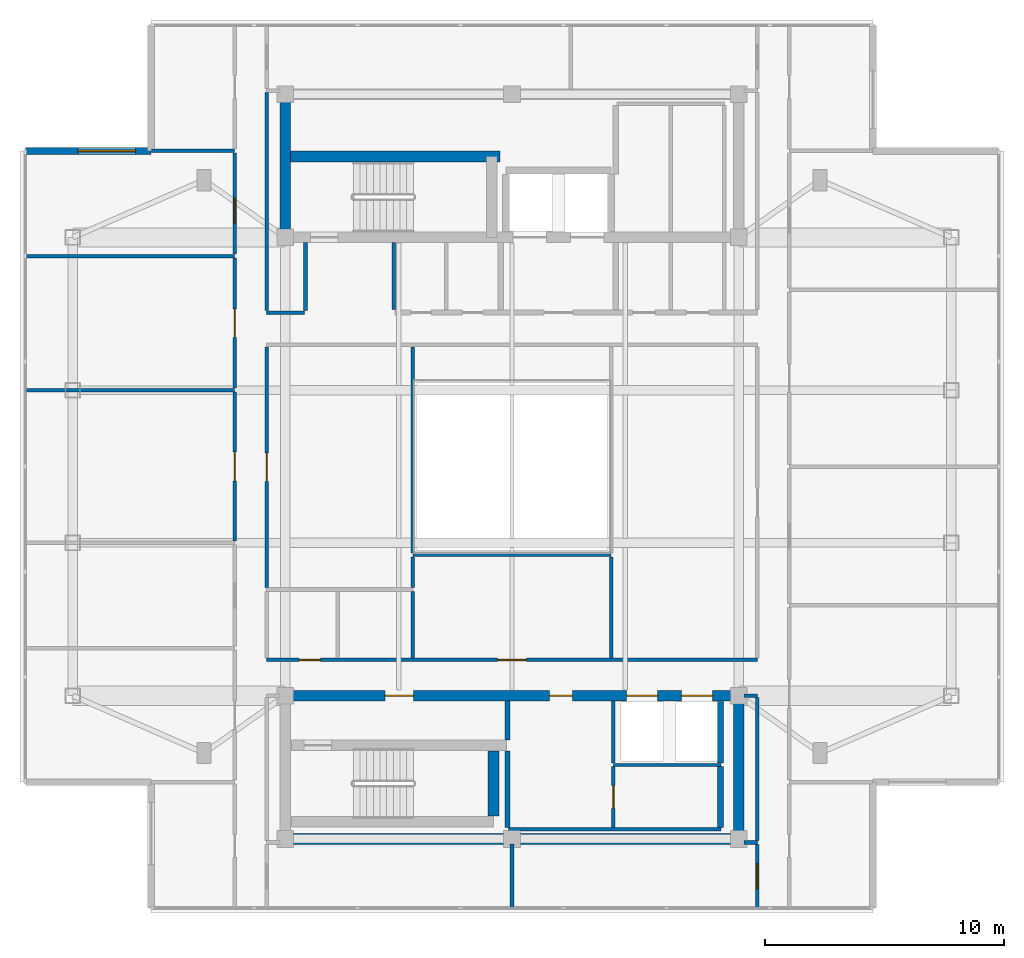
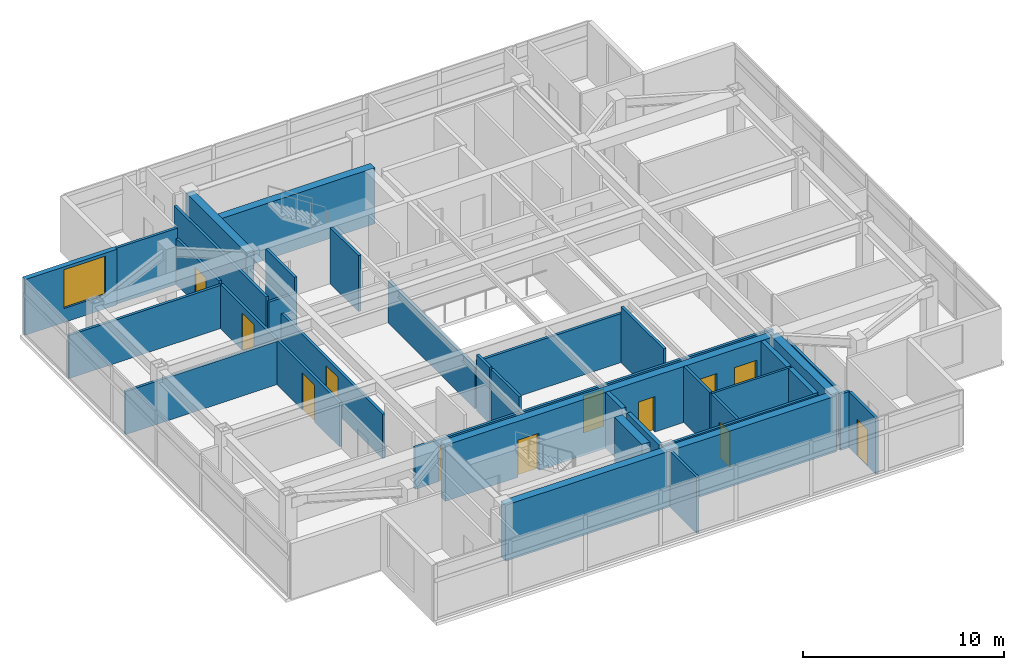
# One storey, part 6 of 12: 37 walls, 12 doors, 1 window, 13 openings.
"""IFC4 building model written with IfcOpenShell, lengths in metres."""

from ifc_helpers import new_model, si_unit, direction, frame, frame_2d, origin, place, context, subcontext, project, spatial, rectangle, extrude, material, layer, layer_set, type_object, element, fill, save


model = new_model("IFC4")

# Units and contexts
model_context = context("Model", 3, precision=1e-05, world=origin(), true_north=direction((0.0, 1.0)))
body_context = subcontext(model_context, "Body", "Model", "MODEL_VIEW")
ifc_project = project(units=[si_unit("LENGTHUNIT", "METRE"), si_unit("AREAUNIT", "SQUARE_METRE"), si_unit("VOLUMEUNIT", "CUBIC_METRE"), si_unit("PLANEANGLEUNIT", "RADIAN"), si_unit("MASSUNIT", "GRAM", prefix="KILO")], contexts=[model_context])

# Site, building, storey
site_placement = place(None, origin())
site = spatial("IfcSite", under=ifc_project, at=site_placement, CompositionType="ELEMENT")
building_placement = place(site_placement, origin())
building = spatial("IfcBuilding", under=site, at=building_placement, Name="Mirazonda Arch Towers", CompositionType="ELEMENT")
storey_placement = place(building_placement, frame((0.0, 0.0, 256.300048828125)))
storey = spatial("IfcBuildingStorey", under=building, at=storey_placement, Name="L73", CompositionType="ELEMENT", Elevation=256.300048828125)

# Walls
ifc_material_1 = material(Name="Concrete C50/60", Category="concrete")
ifc_layer_1 = layer(ifc_material_1, 0.449951171875, Name="WALL-CORE-450")
ifc_layer_set_1 = layer_set([ifc_layer_1], Name="Concrete C50/60")
wall_type_1 = type_object("IfcWallType", Name="WALL-CORE-450", PredefinedType="SHEAR", material=ifc_layer_set_1)
wall_1_placement = place(storey_placement, frame((11.0, 37.60009765625, 0.0), z_axis=(0.0, 0.0, 1.0), x_axis=(0.0, 1.0, 0.0)))
element("IfcWall", 1, at=wall_1_placement, inside=storey, type_object=wall_type_1, Name="L73 T1N-W Core Shear Wall", PredefinedType="SHEAR", context=body_context, shape_type="SweptSolid", body=[
    extrude(rectangle(XDim=6.0, YDim=0.449951171875, at=frame_2d((3.0, 0.0))), origin(), (0.0, 0.0, 1.0), 3.39990234375),
])
wall_2_placement = place(storey_placement, frame((11.0, 40.992919921875, 0.0), z_axis=(0.0, 0.0, 1.0), x_axis=(1.0, 0.0, 0.0)))
element("IfcWall", 2, at=wall_2_placement, inside=storey, type_object=wall_type_1, Name="L73 T1N-STN Core Shear Wall", PredefinedType="SHEAR", context=body_context, shape_type="SweptSolid", body=[
    extrude(rectangle(XDim=9.0, YDim=0.449951171875, at=frame_2d((4.5, 0.0))), origin(), (0.0, 0.0, 1.0), 3.39990234375),
])
wall_3_placement = place(storey_placement, frame((11.0, 12.39990234375, 0.0), z_axis=(0.0, 0.0, 1.0), x_axis=(1.0, 0.0, 0.0)))
element("IfcWall", 3, at=wall_3_placement, inside=storey, type_object=wall_type_1, Name="L73 T1S-S Core Shear Wall", PredefinedType="SHEAR", context=body_context, shape_type="SweptSolid", body=[
    extrude(rectangle(XDim=19.0, YDim=0.449951171875, at=frame_2d((9.5, 0.0))), origin(), (0.0, 0.0, 1.0), 3.39990234375),
])
wall_4_placement = place(storey_placement, frame((30.0, 12.39990234375, 0.0), z_axis=(0.0, 0.0, 1.0), x_axis=(0.0, 1.0, 0.0)))
element("IfcWall", 4, at=wall_4_placement, inside=storey, type_object=wall_type_1, Name="L73 T1S-E Core Shear Wall", PredefinedType="SHEAR", context=body_context, shape_type="SweptSolid", body=[
    extrude(rectangle(XDim=6.0, YDim=0.449951171875, at=frame_2d((3.0, 0.0))), origin(), (0.0, 0.0, 1.0), 3.39990234375),
])

# Wall, openings, doors
wall_5_placement = place(storey_placement, frame((11.0, 18.39990234375, 0.0), z_axis=(0.0, 0.0, 1.0), x_axis=(1.0, 0.0, 0.0)))
wall_5 = element("IfcWall", 5, at=wall_5_placement, inside=storey, type_object=wall_type_1, Name="L73 T1S-N Core Shear Wall", PredefinedType="SHEAR", context=body_context, shape_type="SweptSolid", body=[
    extrude(rectangle(XDim=19.0, YDim=0.449951171875, at=frame_2d((9.5, 0.0))), origin(), (0.0, 0.0, 1.0), 3.39990234375),
])
opening_1_placement = place(wall_5_placement, frame((4.175048828125, 0.0, 0.0)))
opening_1 = element("IfcOpeningElement", 6, at=opening_1_placement, cuts=wall_5, Name="Opening DR-117", PredefinedType="OPENING", context=body_context, shape_type="SweptSolid", body=[
    extrude(rectangle(XDim=1.199951171875, YDim=2.25, at=frame_2d((0.60009765625, 1.125))), frame((0.0, 0.23486328125, 0.0), z_axis=(0.0, -1.0, 0.0), x_axis=(1.0, 0.0, 0.0)), (0.0, 0.0, 1.0), 0.469970703125),
])
opening_2_placement = place(wall_5_placement, frame((11.074951171875, 0.0, 0.0)))
opening_2 = element("IfcOpeningElement", 7, at=opening_2_placement, cuts=wall_5, Name="Opening DR-104", PredefinedType="OPENING", context=body_context, shape_type="SweptSolid", body=[
    extrude(rectangle(XDim=0.949951171875, YDim=2.14990234375, at=frame_2d((0.47509765625, 1.074951171875))), frame((0.0, 0.23486328125, 0.0), z_axis=(0.0, -1.0, 0.0), x_axis=(1.0, 0.0, 0.0)), (0.0, 0.0, 1.0), 0.469970703125),
])
opening_3_placement = place(wall_5_placement, frame((14.300048828125, 0.0, 0.0)))
opening_3 = element("IfcOpeningElement", 8, at=opening_3_placement, cuts=wall_5, Name="Opening LD-111", PredefinedType="OPENING", context=body_context, shape_type="SweptSolid", body=[
    extrude(rectangle(XDim=1.300048828125, YDim=2.300048828125, at=frame_2d((0.64990234375, 1.14990234375))), frame((0.0, 0.23486328125, 0.0), z_axis=(0.0, -1.0, 0.0), x_axis=(1.0, 0.0, 0.0)), (0.0, 0.0, 1.0), 0.469970703125),
])
opening_4_placement = place(wall_5_placement, frame((16.60009765625, 0.0, 0.0)))
opening_4 = element("IfcOpeningElement", 9, at=opening_4_placement, cuts=wall_5, Name="Opening LD-111", PredefinedType="OPENING", context=body_context, shape_type="SweptSolid", body=[
    extrude(rectangle(XDim=1.300048828125, YDim=2.300048828125, at=frame_2d((0.64990234375, 1.14990234375))), frame((0.0, 0.23486328125, 0.0), z_axis=(0.0, -1.0, 0.0), x_axis=(1.0, 0.0, 0.0)), (0.0, 0.0, 1.0), 0.469970703125),
])
ifc_material_2 = material(Name="Architectural Brushed Steel S355", Category="steel")
door_type_1 = type_object("IfcDoorType", Name="DOOR-FFL-FD90-1200", OperationType="NOTDEFINED", PredefinedType="DOOR", material=ifc_material_2)
door_1_placement = place(opening_1_placement, origin())
door_1 = element("IfcDoor", 10, at=door_1_placement, inside=storey, type_object=door_type_1, Name="L73 South Core Stair & Lift Lobby Door", OperationType="SINGLE_SWING_LEFT", OverallHeight=2.25, OverallWidth=1.199951171875, PredefinedType="DOOR", context=body_context, shape_type="SweptSolid", body=[
    extrude(rectangle(XDim=1.199951171875, YDim=2.25, at=frame_2d((0.60009765625, 1.125))), frame((0.0, 0.02490234375, 0.0), z_axis=(0.0, -1.0, 0.0), x_axis=(1.0, 0.0, 0.0)), (0.0, 0.0, 1.0), 0.050048828125),
])
fill(opening_1, door_1)
door_type_2 = type_object("IfcDoorType", Name="DOOR-LIFT-LAND-1300", OperationType="NOTDEFINED", PredefinedType="DOOR", material=ifc_material_2)
door_2_placement = place(opening_3_placement, origin())
door_2 = element("IfcDoor", 11, at=door_2_placement, inside=storey, type_object=door_type_2, Name="L73 Lift Landing Sliding Door PL-T1H1", OperationType="DOUBLE_DOOR_SLIDING", OverallHeight=2.300048828125, OverallWidth=1.300048828125, PredefinedType="DOOR", context=body_context, shape_type="SweptSolid", body=[
    extrude(rectangle(XDim=1.300048828125, YDim=2.300048828125, at=frame_2d((0.64990234375, 1.14990234375))), frame((0.0, 0.02490234375, 0.0), z_axis=(0.0, -1.0, 0.0), x_axis=(1.0, 0.0, 0.0)), (0.0, 0.0, 1.0), 0.050048828125),
])
fill(opening_3, door_2)
door_3_placement = place(opening_4_placement, origin())
door_3 = element("IfcDoor", 12, at=door_3_placement, inside=storey, type_object=door_type_2, Name="L73 Lift Landing Sliding Door PL-T1H2", OperationType="DOUBLE_DOOR_SLIDING", OverallHeight=2.300048828125, OverallWidth=1.300048828125, PredefinedType="DOOR", context=body_context, shape_type="SweptSolid", body=[
    extrude(rectangle(XDim=1.300048828125, YDim=2.300048828125, at=frame_2d((0.64990234375, 1.14990234375))), frame((0.0, 0.02490234375, 0.0), z_axis=(0.0, -1.0, 0.0), x_axis=(1.0, 0.0, 0.0)), (0.0, 0.0, 1.0), 0.050048828125),
])
fill(opening_4, door_3)
door_type_3 = type_object("IfcDoorType", Name="DOOR-ROOM-950", OperationType="NOTDEFINED", PredefinedType="DOOR", material=ifc_material_2)
door_4_placement = place(opening_2_placement, origin())
door_4 = element("IfcDoor", 13, at=door_4_placement, inside=storey, type_object=door_type_3, Name="L73 Residents Wine Tasting Lounge Door", OperationType="SINGLE_SWING_LEFT", OverallHeight=2.14990234375, OverallWidth=0.949951171875, PredefinedType="DOOR", context=body_context, shape_type="SweptSolid", body=[
    extrude(rectangle(XDim=0.949951171875, YDim=2.14990234375, at=frame_2d((0.47509765625, 1.074951171875))), frame((0.0, 0.02490234375, 0.0), z_axis=(0.0, -1.0, 0.0), x_axis=(1.0, 0.0, 0.0)), (0.0, 0.0, 1.0), 0.050048828125),
])
fill(opening_2, door_4)

# Wall
wall_6_placement = place(storey_placement, frame((19.72998046875, 13.35498046875, 0.0), z_axis=(0.0, 0.0, 1.0), x_axis=(0.0, 1.0, 0.0)))
element("IfcWall", 14, at=wall_6_placement, inside=storey, type_object=wall_type_1, Name="L73 Stair Core Shear Wall 050", PredefinedType="SHEAR", context=body_context, shape_type="SweptSolid", body=[
    extrude(rectangle(XDim=2.72998046875, YDim=0.449951171875, at=frame_2d((1.364990234375, 0.0))), origin(), (0.0, 0.0, 1.0), 3.39990234375),
])

# Wall, opening, window
ifc_material_3 = material(Name="Precast Concrete C40/50", Category="concrete")
ifc_layer_2 = layer(ifc_material_3, 0.280029296875, Name="WALL-EXT-WALL-280")
ifc_layer_set_2 = layer_set([ifc_layer_2], Name="Precast Concrete C40/50")
wall_type_2 = type_object("IfcWallType", Name="WALL-EXT-WALL-280", PredefinedType="SOLIDWALL", material=ifc_layer_set_2)
wall_7_placement = place(storey_placement, frame((5.375, 41.220947265625, 0.0), z_axis=(0.0, 0.0, 1.0), x_axis=(-1.0, 0.0, 0.0)))
wall_7 = element("IfcWall", 15, at=wall_7_placement, inside=storey, type_object=wall_type_2, Name="L73 T1 Corner Notch Return Wall WL-L73-T1-CNW1", PredefinedType="SOLIDWALL", context=body_context, shape_type="SweptSolid", body=[
    extrude(rectangle(XDim=5.264892578125, YDim=0.280029296875, at=frame_2d((2.63232421875, 0.0))), origin(), (0.0, 0.0, 1.0), 3.3798828125),
])
opening_5_placement = place(wall_7_placement, frame((0.64990234375, 0.0, 0.85009765625)))
opening_5 = element("IfcOpeningElement", 16, at=opening_5_placement, cuts=wall_7, Name="Opening WN-121", PredefinedType="OPENING", context=body_context, shape_type="SweptSolid", body=[
    extrude(rectangle(XDim=2.39990234375, YDim=2.35009765625, at=frame_2d((1.199951171875, 1.175048828125))), frame((0.0, 0.14990234375, 0.0), z_axis=(0.0, -1.0, 0.0), x_axis=(1.0, 0.0, 0.0)), (0.0, 0.0, 1.0), 0.300048828125),
])
ifc_material_4 = material(Name="Insulated Low-E Solar Glass", Category="glass")
window_type = type_object("IfcWindowType", Name="WIN-PENT-2400x2350", PartitioningType="SINGLE_PANEL", PredefinedType="WINDOW", material=ifc_material_4)
window_placement = place(opening_5_placement, origin())
window = element("IfcWindow", 17, at=window_placement, inside=storey, type_object=window_type, Name="L73 Punched Facade Window WN-L73-T1-CNW1", OverallHeight=2.35009765625, OverallWidth=2.39990234375, PartitioningType="SINGLE_PANEL", PredefinedType="WINDOW", context=body_context, shape_type="SweptSolid", body=[
    extrude(rectangle(XDim=2.39990234375, YDim=2.35009765625, at=frame_2d((1.199951171875, 1.175048828125))), frame((0.0, 0.030029296875, 0.0), z_axis=(0.0, -1.0, 0.0), x_axis=(1.0, 0.0, 0.0)), (0.0, 0.0, 1.0), 0.06005859375),
])
fill(opening_5, window)

# Walls
ifc_material_5 = material(Name="Concrete C40/50", Category="concrete")
ifc_layer_3 = layer(ifc_material_5, 0.219970703125, Name="WALL-FFL-220")
ifc_layer_set_3 = layer_set([ifc_layer_3], Name="Concrete C40/50")
wall_type_3 = type_object("IfcWallType", Name="WALL-FFL-220", PredefinedType="SOLIDWALL", material=ifc_layer_set_3)
wall_8_placement = place(storey_placement, frame((20.31494140625, 12.885009765625, 0.0), z_axis=(0.0, 0.0, 1.0), x_axis=(0.0, 1.0, 0.0)))
element("IfcWall", 18, at=wall_8_placement, inside=storey, type_object=wall_type_3, Name="L73 Interior Partition 052", PredefinedType="SOLIDWALL", context=body_context, shape_type="SweptSolid", body=[
    extrude(rectangle(XDim=3.199951171875, YDim=0.219970703125, at=frame_2d((1.60009765625, 0.0))), origin(), (0.0, 0.0, 1.0), 3.39990234375),
])
wall_9_placement = place(storey_placement, frame((20.31494140625, 16.554931640625, 0.0), z_axis=(0.0, 0.0, 1.0), x_axis=(0.0, 1.0, 0.0)))
element("IfcWall", 19, at=wall_9_placement, inside=storey, type_object=wall_type_3, Name="L73 Interior Partition 053", PredefinedType="SOLIDWALL", context=body_context, shape_type="SweptSolid", body=[
    extrude(rectangle(XDim=1.625, YDim=0.219970703125, at=frame_2d((0.8125, 0.0))), origin(), (0.0, 0.0, 1.0), 3.39990234375),
])
ifc_material_6 = material(Name="Fire-Rated Gypsum Stud Partition")
ifc_layer_4 = layer(ifc_material_6, 0.14990234375, Name="WALL-PART-CORR-150")
ifc_layer_set_4 = layer_set([ifc_layer_4], Name="Fire-Rated Gypsum Stud Partition")
wall_type_4 = type_object("IfcWallType", Name="WALL-PART-CORR-150", PredefinedType="PARTITIONING", material=ifc_layer_set_4)
wall_10_placement = place(storey_placement, frame((30.219970703125, 12.25, 0.0), z_axis=(0.0, 0.0, 1.0), x_axis=(1.0, 0.0, 0.0)))
element("IfcWall", 20, at=wall_10_placement, inside=storey, type_object=wall_type_4, Name="L73 Interior Partition 002", PredefinedType="PARTITIONING", context=body_context, shape_type="SweptSolid", body=[
    extrude(rectangle(XDim=0.56005859375, YDim=0.14990234375, at=frame_2d((0.280029296875, 0.0))), origin(), (0.0, 0.0, 1.0), 3.39990234375),
])
wall_11_placement = place(storey_placement, frame((20.35009765625, 12.800048828125, 0.0), z_axis=(0.0, 0.0, 1.0), x_axis=(1.0, 0.0, 0.0)))
element("IfcWall", 21, at=wall_11_placement, inside=storey, type_object=wall_type_4, Name="L73 Interior Partition 003", PredefinedType="PARTITIONING", context=body_context, shape_type="SweptSolid", body=[
    extrude(rectangle(XDim=8.89990234375, YDim=0.14990234375, at=frame_2d((4.449951171875, 0.0))), origin(), (0.0, 0.0, 1.0), 3.39990234375),
])
wall_12_placement = place(storey_placement, frame((30.219970703125, 18.39990234375, 0.0), z_axis=(0.0, 0.0, 1.0), x_axis=(1.0, 0.0, 0.0)))
element("IfcWall", 22, at=wall_12_placement, inside=storey, type_object=wall_type_4, Name="L73 Interior Partition 010", PredefinedType="PARTITIONING", context=body_context, shape_type="SweptSolid", body=[
    extrude(rectangle(XDim=0.56005859375, YDim=0.14990234375, at=frame_2d((0.280029296875, 0.0))), origin(), (0.0, 0.0, 1.0), 2.7919921875),
])

# Wall, openings, doors
wall_13_placement = place(storey_placement, frame((10.219970703125, 19.89990234375, 0.0), z_axis=(0.0, 0.0, 1.0), x_axis=(1.0, 0.0, 0.0)))
wall_13 = element("IfcWall", 23, at=wall_13_placement, inside=storey, type_object=wall_type_4, Name="L73 Interior Partition 011", PredefinedType="PARTITIONING", context=body_context, shape_type="SweptSolid", body=[
    extrude(rectangle(XDim=20.56005859375, YDim=0.14990234375, at=frame_2d((10.280029296875, 0.0))), origin(), (0.0, 0.0, 1.0), 2.535888671875),
])
opening_6_placement = place(wall_13_placement, frame((1.360107421875, 0.0, 0.0)))
opening_6 = element("IfcOpeningElement", 24, at=opening_6_placement, cuts=wall_13, Name="Opening DR-120", PredefinedType="OPENING", context=body_context, shape_type="SweptSolid", body=[
    extrude(rectangle(XDim=0.89990234375, YDim=2.10009765625, at=frame_2d((0.449951171875, 1.050048828125))), frame((0.0, 0.0849609375, 0.0), z_axis=(0.0, -1.0, 0.0), x_axis=(1.0, 0.0, 0.0)), (0.0, 0.0, 1.0), 0.169921875),
])
opening_7_placement = place(wall_13_placement, frame((9.679931640625, 0.0, 0.0)))
opening_7 = element("IfcOpeningElement", 25, at=opening_7_placement, cuts=wall_13, Name="Opening DR-117", PredefinedType="OPENING", context=body_context, shape_type="SweptSolid", body=[
    extrude(rectangle(XDim=1.199951171875, YDim=2.25, at=frame_2d((0.60009765625, 1.125))), frame((0.0, 0.0849609375, 0.0), z_axis=(0.0, -1.0, 0.0), x_axis=(1.0, 0.0, 0.0)), (0.0, 0.0, 1.0), 0.169921875),
])
door_5_placement = place(opening_7_placement, origin())
door_5 = element("IfcDoor", 26, at=door_5_placement, inside=storey, type_object=door_type_1, Name="L73 L73 South Oculus Horizon Salon Door", OperationType="SINGLE_SWING_RIGHT", OverallHeight=2.25, OverallWidth=1.199951171875, PredefinedType="DOOR", context=body_context, shape_type="SweptSolid", body=[
    extrude(rectangle(XDim=1.199951171875, YDim=2.25, at=frame_2d((0.60009765625, 1.125))), frame((0.0, 0.02490234375, 0.0), z_axis=(0.0, -1.0, 0.0), x_axis=(1.0, 0.0, 0.0)), (0.0, 0.0, 1.0), 0.050048828125),
])
fill(opening_7, door_5)
door_type_4 = type_object("IfcDoorType", Name="DOOR-WC-900", OperationType="NOTDEFINED", PredefinedType="DOOR", material=ifc_material_2)
door_6_placement = place(opening_6_placement, origin())
door_6 = element("IfcDoor", 27, at=door_6_placement, inside=storey, type_object=door_type_4, Name="L73 Common Accessible WC Door", OperationType="SINGLE_SWING_LEFT", OverallHeight=2.10009765625, OverallWidth=0.89990234375, PredefinedType="DOOR", context=body_context, shape_type="SweptSolid", body=[
    extrude(rectangle(XDim=0.89990234375, YDim=2.10009765625, at=frame_2d((0.449951171875, 1.050048828125))), frame((0.0, 0.02490234375, 0.0), z_axis=(0.0, -1.0, 0.0), x_axis=(1.0, 0.0, 0.0)), (0.0, 0.0, 1.0), 0.050048828125),
])
fill(opening_6, door_6)

# Walls
wall_14_placement = place(storey_placement, frame((16.35009765625, 24.300048828125, 0.0), z_axis=(0.0, 0.0, 1.0), x_axis=(1.0, 0.0, 0.0)))
element("IfcWall", 28, at=wall_14_placement, inside=storey, type_object=wall_type_4, Name="L73 Interior Partition 015", PredefinedType="PARTITIONING", context=body_context, shape_type="SweptSolid", body=[
    extrude(rectangle(XDim=8.2998046875, YDim=0.14990234375, at=frame_2d((4.14990234375, 0.0))), origin(), (0.0, 0.0, 1.0), 2.974853515625),
])
wall_15_placement = place(storey_placement, frame((0.110107421875, 31.199951171875, 0.0), z_axis=(0.0, 0.0, 1.0), x_axis=(1.0, 0.0, 0.0)))
element("IfcWall", 29, at=wall_15_placement, inside=storey, type_object=wall_type_4, Name="L73 Interior Partition 018", PredefinedType="PARTITIONING", context=body_context, shape_type="SweptSolid", body=[
    extrude(rectangle(XDim=8.769775390625, YDim=0.14990234375, at=frame_2d((4.384765625, 0.0))), origin(), (0.0, 0.0, 1.0), 2.618896484375),
])
wall_16_placement = place(storey_placement, frame((10.219970703125, 34.449951171875, 0.0), z_axis=(0.0, 0.0, 1.0), x_axis=(1.0, 0.0, 0.0)))
element("IfcWall", 30, at=wall_16_placement, inside=storey, type_object=wall_type_4, Name="L73 Interior Partition 020", PredefinedType="PARTITIONING", context=body_context, shape_type="SweptSolid", body=[
    extrude(rectangle(XDim=1.580078125, YDim=0.14990234375, at=frame_2d((0.7900390625, 0.0))), origin(), (0.0, 0.0, 1.0), 2.535888671875),
])
wall_17_placement = place(storey_placement, frame((0.110107421875, 36.81201171875, 0.0), z_axis=(0.0, 0.0, 1.0), x_axis=(1.0, 0.0, 0.0)))
element("IfcWall", 31, at=wall_17_placement, inside=storey, type_object=wall_type_4, Name="L73 Interior Partition 023", PredefinedType="PARTITIONING", context=body_context, shape_type="SweptSolid", body=[
    extrude(rectangle(XDim=8.769775390625, YDim=0.14990234375, at=frame_2d((4.384765625, 0.0))), origin(), (0.0, 0.0, 1.0), 2.618896484375),
])
wall_18_placement = place(storey_placement, frame((5.39501953125, 41.220947265625, 0.0), z_axis=(0.0, 0.0, 1.0), x_axis=(1.0, 0.0, 0.0)))
element("IfcWall", 32, at=wall_18_placement, inside=storey, type_object=wall_type_4, Name="L73 Interior Partition 025", PredefinedType="PARTITIONING", context=body_context, shape_type="SweptSolid", body=[
    extrude(rectangle(XDim=3.48486328125, YDim=0.14990234375, at=frame_2d((1.742431640625, 0.0))), origin(), (0.0, 0.0, 1.0), 3.39990234375),
])

# Wall, opening, door
wall_19_placement = place(storey_placement, frame((8.8798828125, 24.885009765625, 0.0), z_axis=(0.0, 0.0, 1.0), x_axis=(0.0, 1.0, 0.0)))
wall_19 = element("IfcWall", 33, at=wall_19_placement, inside=storey, type_object=wall_type_4, Name="L73 Interior Partition 033", PredefinedType="PARTITIONING", context=body_context, shape_type="SweptSolid", body=[
    extrude(rectangle(XDim=6.22998046875, YDim=0.14990234375, at=frame_2d((3.114990234375, 0.0))), origin(), (0.0, 0.0, 1.0), 2.696044921875),
])
opening_8_placement = place(wall_19_placement, frame((2.514892578125, 0.0, 0.0)))
opening_8 = element("IfcOpeningElement", 34, at=opening_8_placement, cuts=wall_19, Name="Opening DR-117", PredefinedType="OPENING", context=body_context, shape_type="SweptSolid", body=[
    extrude(rectangle(XDim=1.199951171875, YDim=2.25, at=frame_2d((0.60009765625, 1.125))), frame((0.0, 0.0849609375, 0.0), z_axis=(0.0, -1.0, 0.0), x_axis=(1.0, 0.0, 0.0)), (0.0, 0.0, 1.0), 0.169921875),
])
door_7_placement = place(opening_8_placement, origin())
door_7 = element("IfcDoor", 35, at=door_7_placement, inside=storey, type_object=door_type_1, Name="L73 High-Altitude Telescope Salon 2 Door", OperationType="SINGLE_SWING_RIGHT", OverallHeight=2.25, OverallWidth=1.199951171875, PredefinedType="DOOR", context=body_context, shape_type="SweptSolid", body=[
    extrude(rectangle(XDim=1.199951171875, YDim=2.25, at=frame_2d((0.60009765625, 1.125))), frame((0.0, 0.02490234375, 0.0), z_axis=(0.0, -1.0, 0.0), x_axis=(1.0, 0.0, 0.0)), (0.0, 0.0, 1.0), 0.050048828125),
])
fill(opening_8, door_7)

wall_20_placement = place(storey_placement, frame((8.8798828125, 31.284912109375, 0.0), z_axis=(0.0, 0.0, 1.0), x_axis=(0.0, 1.0, 0.0)))
wall_20 = element("IfcWall", 36, at=wall_20_placement, inside=storey, type_object=wall_type_4, Name="L73 Interior Partition 034", PredefinedType="PARTITIONING", context=body_context, shape_type="SweptSolid", body=[
    extrude(rectangle(XDim=5.442138671875, YDim=0.14990234375, at=frame_2d((2.72119140625, 0.0))), origin(), (0.0, 0.0, 1.0), 2.696044921875),
])
opening_9_placement = place(wall_20_placement, frame((2.12109375, 0.0, 0.0)))
opening_9 = element("IfcOpeningElement", 37, at=opening_9_placement, cuts=wall_20, Name="Opening DR-117", PredefinedType="OPENING", context=body_context, shape_type="SweptSolid", body=[
    extrude(rectangle(XDim=1.199951171875, YDim=2.25, at=frame_2d((0.60009765625, 1.125))), frame((0.0, 0.0849609375, 0.0), z_axis=(0.0, -1.0, 0.0), x_axis=(1.0, 0.0, 0.0)), (0.0, 0.0, 1.0), 0.169921875),
])
door_8_placement = place(opening_9_placement, origin())
door_8 = element("IfcDoor", 38, at=door_8_placement, inside=storey, type_object=door_type_1, Name="L73 Sky-Lookout Espresso & Patisserie Bar 3 Door", OperationType="SINGLE_SWING_LEFT", OverallHeight=2.25, OverallWidth=1.199951171875, PredefinedType="DOOR", context=body_context, shape_type="SweptSolid", body=[
    extrude(rectangle(XDim=1.199951171875, YDim=2.25, at=frame_2d((0.60009765625, 1.125))), frame((0.0, 0.02490234375, 0.0), z_axis=(0.0, -1.0, 0.0), x_axis=(1.0, 0.0, 0.0)), (0.0, 0.0, 1.0), 0.050048828125),
])
fill(opening_9, door_8)

wall_21_placement = place(storey_placement, frame((8.8798828125, 36.89697265625, 0.0), z_axis=(0.0, 0.0, 1.0), x_axis=(0.0, 1.0, 0.0)))
wall_21 = element("IfcWall", 39, at=wall_21_placement, inside=storey, type_object=wall_type_4, Name="L73 Interior Partition 035", PredefinedType="PARTITIONING", context=body_context, shape_type="SweptSolid", body=[
    extrude(rectangle(XDim=4.239013671875, YDim=0.14990234375, at=frame_2d((2.11962890625, 0.0))), origin(), (0.0, 0.0, 1.0), 2.7919921875),
])
opening_10_placement = place(wall_21_placement, frame((1.29443359375, 0.0, 0.0)))
opening_10 = element("IfcOpeningElement", 40, at=opening_10_placement, cuts=wall_21, Name="Opening DR-121", PredefinedType="OPENING", context=body_context, shape_type="SweptSolid", body=[
    extrude(rectangle(XDim=1.050048828125, YDim=2.199951171875, at=frame_2d((0.52490234375, 1.10009765625))), frame((0.0, 0.0849609375, 0.0), z_axis=(0.0, -1.0, 0.0), x_axis=(1.0, 0.0, 0.0)), (0.0, 0.0, 1.0), 0.169921875),
])
door_type_5 = type_object("IfcDoorType", Name="DOOR-SUITE-FD60-1050", OperationType="NOTDEFINED", PredefinedType="DOOR", material=ifc_material_2)
door_9_placement = place(opening_10_placement, origin())
door_9 = element("IfcDoor", 41, at=door_9_placement, inside=storey, type_object=door_type_5, Name="L73 Souvenir & Exhibition Reading Room 3B Door", OperationType="SINGLE_SWING_RIGHT", OverallHeight=2.199951171875, OverallWidth=1.050048828125, PredefinedType="DOOR", context=body_context, shape_type="SweptSolid", body=[
    extrude(rectangle(XDim=1.050048828125, YDim=2.199951171875, at=frame_2d((0.52490234375, 1.10009765625))), frame((0.0, 0.02490234375, 0.0), z_axis=(0.0, -1.0, 0.0), x_axis=(1.0, 0.0, 0.0)), (0.0, 0.0, 1.0), 0.050048828125),
])
fill(opening_10, door_9)

wall_22_placement = place(storey_placement, frame((10.219970703125, 22.93505859375, 0.0), z_axis=(0.0, 0.0, 1.0), x_axis=(0.0, 1.0, 0.0)))
wall_22 = element("IfcWall", 42, at=wall_22_placement, inside=storey, type_object=wall_type_4, Name="L73 Interior Partition 040", PredefinedType="PARTITIONING", context=body_context, shape_type="SweptSolid", body=[
    extrude(rectangle(XDim=10.079833984375, YDim=0.14990234375, at=frame_2d((5.0400390625, 0.0))), origin(), (0.0, 0.0, 1.0), 2.696044921875),
])
opening_11_placement = place(wall_22_placement, frame((4.43994140625, 0.0, 0.0)))
opening_11 = element("IfcOpeningElement", 43, at=opening_11_placement, cuts=wall_22, Name="Opening DR-117", PredefinedType="OPENING", context=body_context, shape_type="SweptSolid", body=[
    extrude(rectangle(XDim=1.199951171875, YDim=2.25, at=frame_2d((0.60009765625, 1.125))), frame((0.0, 0.0849609375, 0.0), z_axis=(0.0, -1.0, 0.0), x_axis=(1.0, 0.0, 0.0)), (0.0, 0.0, 1.0), 0.169921875),
])
door_10_placement = place(opening_11_placement, origin())
door_10 = element("IfcDoor", 44, at=door_10_placement, inside=storey, type_object=door_type_1, Name="L73 L73 West Oculus Viewing Gallery Door", OperationType="SINGLE_SWING_LEFT", OverallHeight=2.25, OverallWidth=1.199951171875, PredefinedType="DOOR", context=body_context, shape_type="SweptSolid", body=[
    extrude(rectangle(XDim=1.199951171875, YDim=2.25, at=frame_2d((0.60009765625, 1.125))), frame((0.0, 0.02490234375, 0.0), z_axis=(0.0, -1.0, 0.0), x_axis=(1.0, 0.0, 0.0)), (0.0, 0.0, 1.0), 0.050048828125),
])
fill(opening_11, door_10)

# Walls
wall_23_placement = place(storey_placement, frame((10.219970703125, 34.534912109375, 0.0), z_axis=(0.0, 0.0, 1.0), x_axis=(0.0, 1.0, 0.0)))
element("IfcWall", 45, at=wall_23_placement, inside=storey, type_object=wall_type_4, Name="L73 Interior Partition 041", PredefinedType="PARTITIONING", context=body_context, shape_type="SweptSolid", body=[
    extrude(rectangle(XDim=9.130126953125, YDim=0.14990234375, at=frame_2d((4.56494140625, 0.0))), origin(), (0.0, 0.0, 1.0), 2.7919921875),
])
wall_24_placement = place(storey_placement, frame((11.85009765625, 34.534912109375, 0.0), z_axis=(0.0, 0.0, 1.0), x_axis=(0.0, 1.0, 0.0)))
element("IfcWall", 46, at=wall_24_placement, inside=storey, type_object=wall_type_4, Name="L73 Interior Partition 043", PredefinedType="PARTITIONING", context=body_context, shape_type="SweptSolid", body=[
    extrude(rectangle(XDim=2.844970703125, YDim=0.14990234375, at=frame_2d((1.42236328125, 0.0))), origin(), (0.0, 0.0, 1.0), 3.39990234375),
])
wall_25_placement = place(storey_placement, frame((15.550048828125, 34.570068359375, 0.0), z_axis=(0.0, 0.0, 1.0), x_axis=(0.0, 1.0, 0.0)))
element("IfcWall", 47, at=wall_25_placement, inside=storey, type_object=wall_type_4, Name="L73 Interior Partition 045", PredefinedType="PARTITIONING", context=body_context, shape_type="SweptSolid", body=[
    extrude(rectangle(XDim=2.809814453125, YDim=0.14990234375, at=frame_2d((1.40478515625, 0.0))), origin(), (0.0, 0.0, 1.0), 3.39990234375),
])
wall_26_placement = place(storey_placement, frame((16.35009765625, 19.985107421875, 0.0), z_axis=(0.0, 0.0, 1.0), x_axis=(0.0, 1.0, 0.0)))
element("IfcWall", 48, at=wall_26_placement, inside=storey, type_object=wall_type_4, Name="L73 Interior Partition 046", PredefinedType="PARTITIONING", context=body_context, shape_type="SweptSolid", body=[
    extrude(rectangle(XDim=2.77978515625, YDim=0.14990234375, at=frame_2d((1.389892578125, 0.0))), origin(), (0.0, 0.0, 1.0), 3.39990234375),
])
wall_27_placement = place(storey_placement, frame((16.35009765625, 22.93505859375, 0.0), z_axis=(0.0, 0.0, 1.0), x_axis=(0.0, 1.0, 0.0)))
element("IfcWall", 49, at=wall_27_placement, inside=storey, type_object=wall_type_4, Name="L73 Interior Partition 047", PredefinedType="PARTITIONING", context=body_context, shape_type="SweptSolid", body=[
    extrude(rectangle(XDim=1.280029296875, YDim=0.14990234375, at=frame_2d((0.64013671875, 0.0))), origin(), (0.0, 0.0, 1.0), 3.39990234375),
])
wall_28_placement = place(storey_placement, frame((16.35009765625, 24.385009765625, 0.0), z_axis=(0.0, 0.0, 1.0), x_axis=(0.0, 1.0, 0.0)))
element("IfcWall", 50, at=wall_28_placement, inside=storey, type_object=wall_type_4, Name="L73 Interior Partition 048", PredefinedType="PARTITIONING", context=body_context, shape_type="SweptSolid", body=[
    extrude(rectangle(XDim=8.6298828125, YDim=0.14990234375, at=frame_2d((4.31494140625, 0.0))), origin(), (0.0, 0.0, 1.0), 2.535888671875),
])
wall_29_placement = place(storey_placement, frame((20.5, 9.513916015625, 0.0), z_axis=(0.0, 0.0, 1.0), x_axis=(0.0, 1.0, 0.0)))
element("IfcWall", 51, at=wall_29_placement, inside=storey, type_object=wall_type_4, Name="L73 Interior Partition 055", PredefinedType="PARTITIONING", context=body_context, shape_type="SweptSolid", body=[
    extrude(rectangle(XDim=2.666015625, YDim=0.14990234375, at=frame_2d((1.3330078125, 0.0))), origin(), (0.0, 0.0, 1.0), 3.39990234375),
])

# Wall, opening, door
wall_30_placement = place(storey_placement, frame((24.75, 12.885009765625, 0.0), z_axis=(0.0, 0.0, 1.0), x_axis=(0.0, 1.0, 0.0)))
wall_30 = element("IfcWall", 52, at=wall_30_placement, inside=storey, type_object=wall_type_4, Name="L73 Interior Partition 057", PredefinedType="PARTITIONING", context=body_context, shape_type="SweptSolid", body=[
    extrude(rectangle(XDim=2.54248046875, YDim=0.14990234375, at=frame_2d((1.271240234375, 0.0))), origin(), (0.0, 0.0, 1.0), 3.39990234375),
])
opening_12_placement = place(wall_30_placement, frame((0.79638671875, 0.0, 0.0)))
opening_12 = element("IfcOpeningElement", 53, at=opening_12_placement, cuts=wall_30, Name="Opening DR-104", PredefinedType="OPENING", context=body_context, shape_type="SweptSolid", body=[
    extrude(rectangle(XDim=0.949951171875, YDim=2.14990234375, at=frame_2d((0.47509765625, 1.074951171875))), frame((0.0, 0.0849609375, 0.0), z_axis=(0.0, -1.0, 0.0), x_axis=(1.0, 0.0, 0.0)), (0.0, 0.0, 1.0), 0.169921875),
])
door_11_placement = place(opening_12_placement, origin())
door_11 = element("IfcDoor", 54, at=door_11_placement, inside=storey, type_object=door_type_3, Name="L73 Residents Private Archive Study Door", OperationType="SINGLE_SWING_RIGHT", OverallHeight=2.14990234375, OverallWidth=0.949951171875, PredefinedType="DOOR", context=body_context, shape_type="SweptSolid", body=[
    extrude(rectangle(XDim=0.949951171875, YDim=2.14990234375, at=frame_2d((0.47509765625, 1.074951171875))), frame((0.0, 0.02490234375, 0.0), z_axis=(0.0, -1.0, 0.0), x_axis=(1.0, 0.0, 0.0)), (0.0, 0.0, 1.0), 0.050048828125),
])
fill(opening_12, door_11)

# Walls
wall_31_placement = place(storey_placement, frame((24.75, 15.572509765625, 0.0), z_axis=(0.0, 0.0, 1.0), x_axis=(0.0, 1.0, 0.0)))
element("IfcWall", 55, at=wall_31_placement, inside=storey, type_object=wall_type_4, Name="L73 Interior Partition 058", PredefinedType="PARTITIONING", context=body_context, shape_type="SweptSolid", body=[
    extrude(rectangle(XDim=2.607421875, YDim=0.14990234375, at=frame_2d((1.3037109375, 0.0))), origin(), (0.0, 0.0, 1.0), 3.39990234375),
])
wall_32_placement = place(storey_placement, frame((24.64990234375, 19.985107421875, 0.0), z_axis=(0.0, 0.0, 1.0), x_axis=(0.0, 1.0, 0.0)))
element("IfcWall", 56, at=wall_32_placement, inside=storey, type_object=wall_type_4, Name="L73 Interior Partition 059", PredefinedType="PARTITIONING", context=body_context, shape_type="SweptSolid", body=[
    extrude(rectangle(XDim=4.22998046875, YDim=0.14990234375, at=frame_2d((2.114990234375, 0.0))), origin(), (0.0, 0.0, 1.0), 3.39990234375),
])

# Wall, opening, door
wall_33_placement = place(storey_placement, frame((30.780029296875, 9.513916015625, 0.0), z_axis=(0.0, 0.0, 1.0), x_axis=(0.0, 1.0, 0.0)))
wall_33 = element("IfcWall", 57, at=wall_33_placement, inside=storey, type_object=wall_type_4, Name="L73 Interior Partition 070", PredefinedType="PARTITIONING", context=body_context, shape_type="SweptSolid", body=[
    extrude(rectangle(XDim=2.651123046875, YDim=0.14990234375, at=frame_2d((1.32568359375, 0.0))), origin(), (0.0, 0.0, 1.0), 3.39990234375),
])
opening_13_placement = place(wall_33_placement, frame((0.800537109375, 0.0, 0.0)))
opening_13 = element("IfcOpeningElement", 58, at=opening_13_placement, cuts=wall_33, Name="Opening DR-121", PredefinedType="OPENING", context=body_context, shape_type="SweptSolid", body=[
    extrude(rectangle(XDim=1.050048828125, YDim=2.199951171875, at=frame_2d((0.52490234375, 1.10009765625))), frame((0.0, 0.0849609375, 0.0), z_axis=(0.0, -1.0, 0.0), x_axis=(1.0, 0.0, 0.0)), (0.0, 0.0, 1.0), 0.169921875),
])
door_12_placement = place(opening_13_placement, origin())
door_12 = element("IfcDoor", 59, at=door_12_placement, inside=storey, type_object=door_type_5, Name="L73 South Lookout Salon East Door", OperationType="SINGLE_SWING_LEFT", OverallHeight=2.199951171875, OverallWidth=1.050048828125, PredefinedType="DOOR", context=body_context, shape_type="SweptSolid", body=[
    extrude(rectangle(XDim=1.050048828125, YDim=2.199951171875, at=frame_2d((0.52490234375, 1.10009765625))), frame((0.0, 0.02490234375, 0.0), z_axis=(0.0, -1.0, 0.0), x_axis=(1.0, 0.0, 0.0)), (0.0, 0.0, 1.0), 0.050048828125),
])
fill(opening_13, door_12)

# Walls
wall_34_placement = place(storey_placement, frame((30.780029296875, 12.3349609375, 0.0), z_axis=(0.0, 0.0, 1.0), x_axis=(0.0, 1.0, 0.0)))
element("IfcWall", 60, at=wall_34_placement, inside=storey, type_object=wall_type_4, Name="L73 Interior Partition 071", PredefinedType="PARTITIONING", context=body_context, shape_type="SweptSolid", body=[
    extrude(rectangle(XDim=5.97998046875, YDim=0.14990234375, at=frame_2d((2.989990234375, 0.0))), origin(), (0.0, 0.0, 1.0), 2.7919921875),
])
ifc_material_7 = material(Name="Acoustic Fire-Rated Gypsum Partition")
ifc_layer_5 = layer(ifc_material_7, 0.125, Name="WALL-PART-UNIT-125")
ifc_layer_set_5 = layer_set([ifc_layer_5], Name="Acoustic Fire-Rated Gypsum Partition")
wall_type_5 = type_object("IfcWallType", Name="WALL-PART-UNIT-125", PredefinedType="PARTITIONING", material=ifc_layer_set_5)
wall_35_placement = place(storey_placement, frame((24.75, 15.5, 0.0), z_axis=(0.0, 0.0, 1.0), x_axis=(1.0, 0.0, 0.0)))
element("IfcWall", 61, at=wall_35_placement, inside=storey, type_object=wall_type_5, Name="L73 Interior Partition 007", PredefinedType="PARTITIONING", context=body_context, shape_type="SweptSolid", body=[
    extrude(rectangle(XDim=4.5, YDim=0.125, at=frame_2d((2.25, 0.0))), origin(), (0.0, 0.0, 1.0), 3.39990234375),
])
ifc_layer_6 = layer(ifc_material_5, 0.25, Name="WALL-SHAFT-250")
ifc_layer_set_6 = layer_set([ifc_layer_6], Name="Concrete C40/50")
wall_type_6 = type_object("IfcWallType", Name="WALL-SHAFT-250", PredefinedType="SOLIDWALL", material=ifc_layer_set_6)
wall_36_placement = place(storey_placement, frame((29.22509765625, 12.885009765625, 0.0), z_axis=(0.0, 0.0, 1.0), x_axis=(0.0, 1.0, 0.0)))
element("IfcWall", 62, at=wall_36_placement, inside=storey, type_object=wall_type_6, Name="L73 Interior Partition 066", PredefinedType="SOLIDWALL", context=body_context, shape_type="SweptSolid", body=[
    extrude(rectangle(XDim=2.54248046875, YDim=0.25, at=frame_2d((1.271240234375, 0.0))), origin(), (0.0, 0.0, 1.0), 3.39990234375),
])
wall_37_placement = place(storey_placement, frame((29.22509765625, 15.572509765625, 0.0), z_axis=(0.0, 0.0, 1.0), x_axis=(0.0, 1.0, 0.0)))
element("IfcWall", 63, at=wall_37_placement, inside=storey, type_object=wall_type_6, Name="L73 Interior Partition 067", PredefinedType="SOLIDWALL", context=body_context, shape_type="SweptSolid", body=[
    extrude(rectangle(XDim=2.577392578125, YDim=0.25, at=frame_2d((1.28857421875, 0.0))), origin(), (0.0, 0.0, 1.0), 3.39990234375),
])

save(model, "model.ifc")
